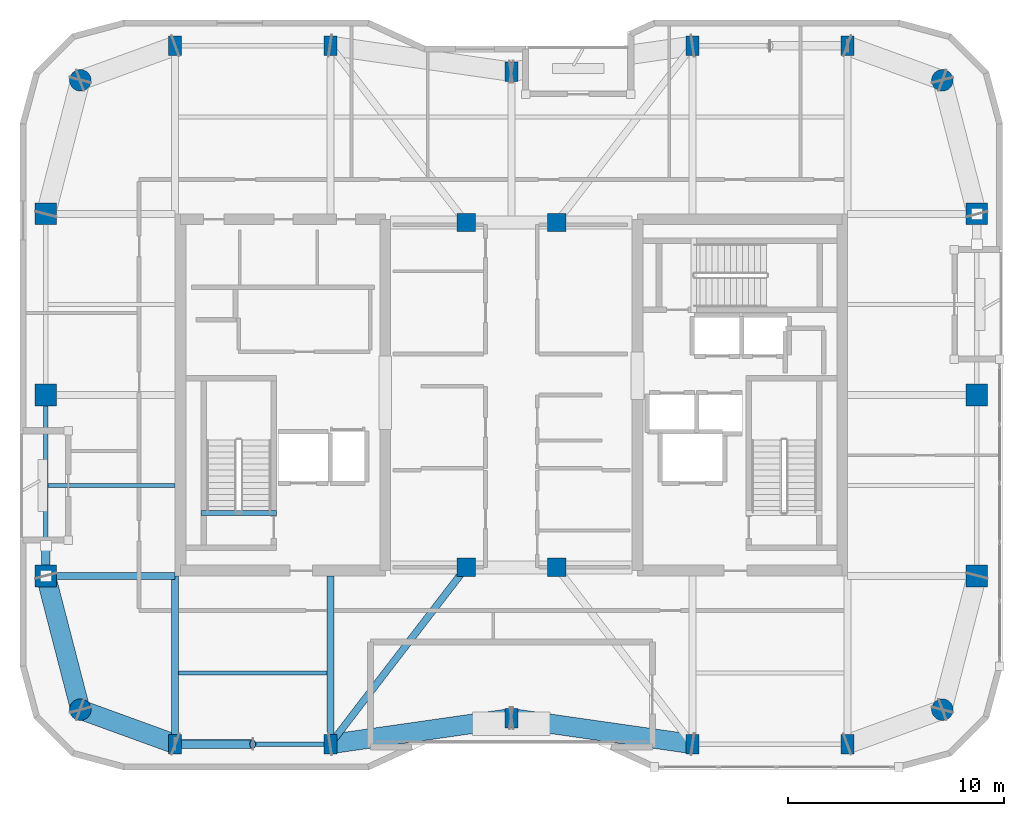
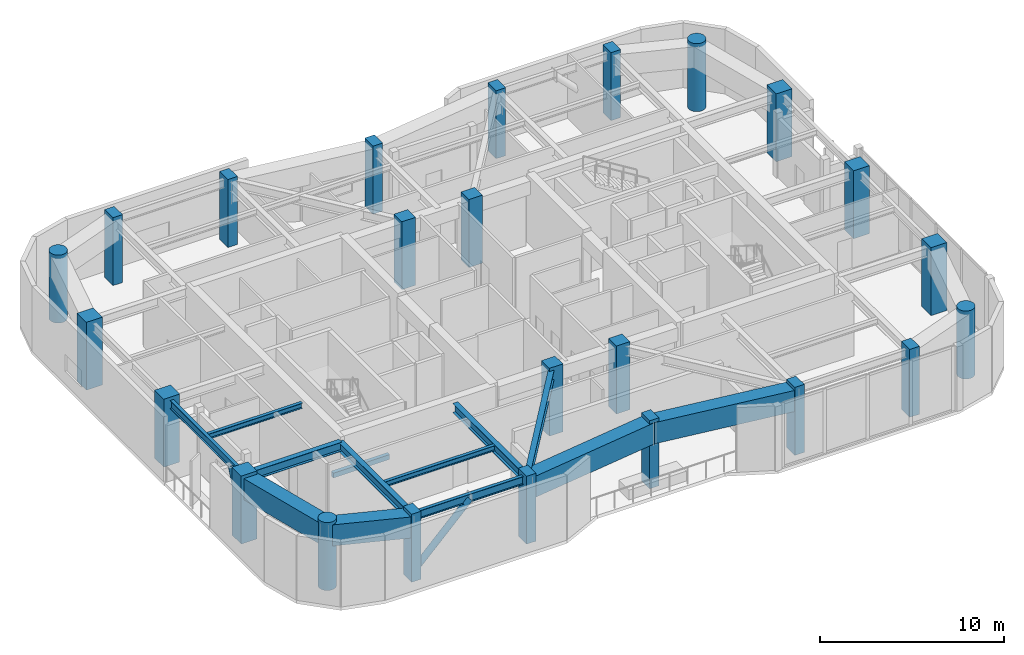
# One storey, part 1 of 14: 24 columns, 13 beams, 2 members.
"""IFC4 building model written with IfcOpenShell, lengths in metres."""

import ifcopenshell
import ifcopenshell.guid

model = None  # the IFC model being written
_history = None  # IfcOwnerHistory: only IFC2X3 demands one
_inside = {}  # id of a spatial element -> (the spatial element, [elements in it])
_under = {}  # id of a project, library or spatial element -> (it, [spatial elements below it])
_declared = {}  # id of a project -> (the project, [libraries it declares])
_typed = {}  # id of a type object -> (the type object, [elements of that type])
_made_of = {}  # id of a material, layer set ... -> (it, [elements and type objects made of it])


def new_model(schema):
    """Start an empty IFC model of exactly this schema.

    Asked for "IFC4X3", IfcOpenShell would pick the latest addendum, in which some entities
    have other attributes; the version numbers below select the first issue.
    IFC2X3 requires an IfcOwnerHistory on every rooted entity: one is made here for all.
    """
    global model, _history
    if schema == "IFC4X3":
        model = ifcopenshell.file(schema_version=(4, 3, 0, 0))
    else:
        model = ifcopenshell.file(schema=schema)
    _inside.clear()
    _under.clear()
    _declared.clear()
    _typed.clear()
    _made_of.clear()
    _history = None
    if model.schema == "IFC2X3":
        org = make("IfcOrganization", Name="unknown")
        user = make(
            "IfcPersonAndOrganization",
            ThePerson=make("IfcPerson", FamilyName="unknown"),
            TheOrganization=org,
        )
        app = make(
            "IfcApplication",
            ApplicationDeveloper=org,
            Version="unknown",
            ApplicationFullName="unknown",
            ApplicationIdentifier="unknown",
        )
        _history = make(
            "IfcOwnerHistory",
            OwningUser=user,
            OwningApplication=app,
            ChangeAction="ADDED",
            CreationDate=0,
        )
    return model


def make(cls, **values):
    """One entity of the class cls with the attributes given. An attribute that is None is left unset."""
    return model.create_entity(
        cls, **{name: value for name, value in values.items() if value is not None}
    )


def rooted(cls, **values):
    """An entity with a GlobalId (a new one), such as an element, a storey or a relation."""
    return make(cls, GlobalId=ifcopenshell.guid.new(), OwnerHistory=_history, **values)


def si_unit(unit_type, name, prefix=None):
    """IfcSIUnit, for example si_unit("LENGTHUNIT", "METRE", prefix="MILLI")."""
    return make("IfcSIUnit", UnitType=unit_type, Prefix=prefix, Name=name)


def assignment(units):
    """IfcUnitAssignment: the units of a project."""
    return None if units is None else make("IfcUnitAssignment", Units=units)


def point(xyz):
    """IfcCartesianPoint."""
    return None if xyz is None else make("IfcCartesianPoint", Coordinates=xyz)


def direction(xyz):
    """IfcDirection."""
    return None if xyz is None else make("IfcDirection", DirectionRatios=xyz)


def frame(location, z_axis=None, x_axis=None):
    """IfcAxis2Placement3D, a coordinate frame: its origin and axes. An axis left out is left unset."""
    return make(
        "IfcAxis2Placement3D",
        Location=point(location),
        Axis=direction(z_axis),
        RefDirection=direction(x_axis),
    )


def frame_2d(location, x_axis=None):
    """IfcAxis2Placement2D, a coordinate frame in the plane: its origin and x axis."""
    return make(
        "IfcAxis2Placement2D", Location=point(location), RefDirection=direction(x_axis)
    )


def origin():
    """The frame at (0, 0, 0) with its axes left unset."""
    return frame((0.0, 0.0, 0.0))


def origin_2d():
    """The frame at (0, 0) in the plane with its x axis left unset."""
    return frame_2d((0.0, 0.0))


def place(relative_to, where):
    """IfcLocalPlacement: puts the frame where relative to a parent placement (None: the world)."""
    return make(
        "IfcLocalPlacement", PlacementRelTo=relative_to, RelativePlacement=where
    )


def context(
    kind, dimensions, precision=None, world=None, true_north=None, identifier=None
):
    """IfcGeometricRepresentationContext, for example the 3D "Model" context."""
    return make(
        "IfcGeometricRepresentationContext",
        ContextIdentifier=identifier,
        ContextType=kind,
        CoordinateSpaceDimension=dimensions,
        Precision=precision,
        WorldCoordinateSystem=world,
        TrueNorth=true_north,
    )


def subcontext(parent, identifier, kind, view, scale=None):
    """IfcGeometricRepresentationSubContext, for example "Body" below "Model"."""
    return make(
        "IfcGeometricRepresentationSubContext",
        ContextIdentifier=identifier,
        ContextType=kind,
        ParentContext=parent,
        TargetScale=scale,
        TargetView=view,
    )


def project(units=None, contexts=None):
    """IfcProject with its units and contexts."""
    return rooted(
        "IfcProject",
        Name="project",
        RepresentationContexts=contexts,
        UnitsInContext=assignment(units),
    )


def spatial(cls, under=None, at=None, **own):
    """A site, building, storey or space (cls), placed at a placement, below another one or the project."""
    s = rooted(cls, ObjectPlacement=at, **own)
    if under is not None:
        _under.setdefault(under.id(), (under, []))[1].append(s)
    return s


def profile(cls, at=None, kind="AREA", **sizes):
    """A parametric profile (cls). Its sizes go by their IFC names, for example OverallWidth=200.0."""
    return make(cls, ProfileType=kind, Position=at, **sizes)


def rectangle(**sizes):
    """IfcRectangleProfileDef."""
    return profile("IfcRectangleProfileDef", **sizes)


def hollow_rectangle(**sizes):
    """IfcRectangleHollowProfileDef."""
    return profile("IfcRectangleHollowProfileDef", **sizes)


def circle(**sizes):
    """IfcCircleProfileDef."""
    return profile("IfcCircleProfileDef", **sizes)


def hollow_circle(**sizes):
    """IfcCircleHollowProfileDef."""
    return profile("IfcCircleHollowProfileDef", **sizes)


def i_section(**sizes):
    """IfcIShapeProfileDef."""
    return profile("IfcIShapeProfileDef", **sizes)


def extrude(swept, where, along, depth):
    """IfcExtrudedAreaSolid: the profile swept, set in the frame where, extruded along a direction by depth."""
    return make(
        "IfcExtrudedAreaSolid",
        SweptArea=swept,
        Position=where,
        ExtrudedDirection=direction(along),
        Depth=depth,
    )


def shape(context_of_items, identifier, shape_type, items):
    """IfcShapeRepresentation: the items that make up one representation, for example the "Body"."""
    return make(
        "IfcShapeRepresentation",
        ContextOfItems=context_of_items,
        RepresentationIdentifier=identifier,
        RepresentationType=shape_type,
        Items=items,
    )


def material(Name=None, Category=None):
    """IfcMaterial."""
    return make("IfcMaterial", Name=Name, Category=Category)


def material_profile(
    of_material, cross_section, Name=None, Category=None, Priority=None
):
    """IfcMaterialProfile: a cross section and its material."""
    return make(
        "IfcMaterialProfile",
        Name=Name,
        Material=of_material,
        Profile=cross_section,
        Priority=Priority,
        Category=Category,
    )


def profile_set(profiles, Name=None, composite=None):
    """IfcMaterialProfileSet."""
    return make(
        "IfcMaterialProfileSet",
        Name=Name,
        MaterialProfiles=profiles,
        CompositeProfile=composite,
    )


def made_of(thing, what):
    """Note that an element or type object is made of a material, layer set ...; save() writes the relation."""
    if what is not None:
        _made_of.setdefault(what.id(), (what, []))[1].append(thing)
    return thing


def type_object(cls, material=None, **own):
    """A type object (cls), such as IfcWallType, which elements share."""
    return made_of(rooted(cls, **own), material)


def element(
    cls,
    number,
    at=None,
    inside=None,
    cuts=None,
    type_object=None,
    material=None,
    context=None,
    identifier="Body",
    shape_type=None,
    held_by="IfcProductDefinitionShape",
    body=None,
    shapes=None,
    **own,
):
    """One element of the class cls, such as IfcWall. Its Tag is "e" and its number.

    at: its placement. inside: the storey or other place that contains it. cuts: it is an
    opening in that element (IfcRelVoidsElement). A single representation is given by context,
    identifier, shape_type and body (its items); several are given by shapes. held_by: the class
    of the entity that holds the representations. save() writes the other relations.
    """
    e = rooted(cls, Tag="e%d" % number, ObjectPlacement=at, **own)
    if body is not None:
        shapes = [shape(context, identifier, shape_type, body)]
    if shapes is not None:
        e.Representation = make(held_by, Representations=shapes)
    if inside is not None:
        _inside.setdefault(inside.id(), (inside, []))[1].append(e)
    if cuts is not None:
        rooted(
            "IfcRelVoidsElement", RelatingBuildingElement=cuts, RelatedOpeningElement=e
        )
    if type_object is not None:
        _typed.setdefault(type_object.id(), (type_object, []))[1].append(e)
    return made_of(e, material)


def aggregate(whole, parts):
    """IfcRelAggregates: a whole, such as a stair, and the parts it consists of."""
    return rooted("IfcRelAggregates", RelatingObject=whole, RelatedObjects=parts)


def save(model, path):
    """Write the relations noted so far, then the file.

    IfcRelAggregates (storeys below a building ...), IfcRelContainedInSpatialStructure (elements
    in a storey), IfcRelDefinesByType, IfcRelAssociatesMaterial and IfcRelDeclares: one each for
    every whole, place, type object, material and project.
    """
    for whole, parts in _under.values():
        aggregate(whole, parts)
    for where, things in _inside.values():
        rooted(
            "IfcRelContainedInSpatialStructure",
            RelatedElements=things,
            RelatingStructure=where,
        )
    for kind, things in _typed.values():
        rooted("IfcRelDefinesByType", RelatedObjects=things, RelatingType=kind)
    for what, things in _made_of.values():
        rooted("IfcRelAssociatesMaterial", RelatedObjects=things, RelatingMaterial=what)
    for by, libraries in _declared.values():
        rooted("IfcRelDeclares", RelatingContext=by, RelatedDefinitions=libraries)
    model.write(path)


model = new_model("IFC4")

# Units and contexts
model_context = context("Model", 3, precision=1e-05, world=origin(), true_north=direction((0.0, 1.0)))
body_context = subcontext(model_context, "Body", "Model", "MODEL_VIEW")
ifc_project = project(units=[si_unit("LENGTHUNIT", "METRE"), si_unit("AREAUNIT", "SQUARE_METRE"), si_unit("VOLUMEUNIT", "CUBIC_METRE"), si_unit("PLANEANGLEUNIT", "RADIAN"), si_unit("MASSUNIT", "GRAM", prefix="KILO")], contexts=[model_context])

# Site, building, storey
site_placement = place(None, origin())
site = spatial("IfcSite", under=ifc_project, at=site_placement, CompositionType="ELEMENT")
building_placement = place(site_placement, origin())
building = spatial("IfcBuilding", under=site, at=building_placement, Name="Kiyonajd Concourse Tower", CompositionType="ELEMENT")
storey_placement = place(building_placement, frame((0.0, 0.0, 294.0)))
storey = spatial("IfcBuildingStorey", under=building, at=storey_placement, Name="L74", CompositionType="ELEMENT", Elevation=294.0)

# Columns
ifc_material_1 = material(Name="Concrete C60/75", Category="concrete")
ifc_material_profile_1 = material_profile(ifc_material_1, rectangle(XDim=0.60009765625, YDim=0.89990234375, at=origin_2d()), Name="RC-900x600")
ifc_profile_set_1 = profile_set([ifc_material_profile_1], Name="Concrete C60/75")
column_type_1 = type_object("IfcColumnType", Name="CL-BLADE-900", PredefinedType="COLUMN", material=ifc_profile_set_1)
for number, where, z_axis, x_axis, name in (
    (1, (32.39990234375, 19.800048828125, 0.0), (0.0, 0.0, 1.0), (1.0, 0.0, 0.0), "L74 Perimeter Bundled Tube Column"),
    (2, (32.39990234375, 52.199951171875, 0.0), (0.0, 0.0, 1.0), (1.0, 0.0, 0.0), "L74 Perimeter Bundled Tube Column"),
    (3, (39.60009765625, 19.800048828125, 0.0), (0.0, 0.0, 1.0), (1.0, 0.0, 0.0), "L74 Perimeter Bundled Tube Column"),
    (4, (39.60009765625, 52.199951171875, 0.0), (0.0, 0.0, 1.0), (1.0, 0.0, 0.0), "L74 Perimeter Bundled Tube Column"),
    (5, (48.0, 21.0, 0.0), (0.0, 0.0, 1.0), (1.0, 0.0, 0.0), "L74 Perimeter Bundled Tube Column"),
    (6, (48.0, 51.0, 0.0), (0.0, 0.0, 1.0), (1.0, 0.0, 0.0), "L74 Perimeter Bundled Tube Column"),
    (7, (56.39990234375, 19.800048828125, 0.0), (0.0, 0.0, 1.0), (1.0, 0.0, 0.0), "L74 Perimeter Bundled Tube Column"),
    (8, (56.39990234375, 52.199951171875, 0.0), (0.0, 0.0, 1.0), (1.0, 0.0, 0.0), "L74 Perimeter Bundled Tube Column"),
    (9, (63.60009765625, 19.800048828125, 0.0), (0.0, 0.0, 1.0), (1.0, 0.0, 0.0), "L74 Perimeter Bundled Tube Column"),
    (10, (63.60009765625, 52.199951171875, 0.0), (0.0, 0.0, 1.0), (1.0, 0.0, 0.0), "L74 Perimeter Bundled Tube Column"),
):
    element("IfcColumn", number, at=place(storey_placement, frame(where, z_axis=z_axis, x_axis=x_axis)), inside=storey, type_object=column_type_1, Name=name, PredefinedType="COLUMN", context=body_context, shape_type="SweptSolid", body=[
        extrude(rectangle(XDim=0.60009765625, YDim=0.89990234375, at=origin_2d()), origin(), (0.0, 0.0, 1.0), 4.5),
    ])
ifc_material_profile_2 = material_profile(ifc_material_1, circle(Radius=0.5, at=origin_2d()), Name="RCC-D1000")
ifc_profile_set_2 = profile_set([ifc_material_profile_2], Name="Concrete C60/75")
column_type_2 = type_object("IfcColumnType", Name="CL-RND-1000", PredefinedType="COLUMN", material=ifc_profile_set_2)
for number, where, z_axis, x_axis, name in (
    (11, (28.0, 21.39990234375, 0.0), (0.0, 0.0, 1.0), (1.0, 0.0, 0.0), "L74 Bundled Tube Corner Column South West"),
    (12, (68.0, 21.39990234375, 0.0), (0.0, 0.0, 1.0), (1.0, 0.0, 0.0), "L74 Bundled Tube Corner Column South East"),
    (13, (68.0, 50.60009765625, 0.0), (0.0, 0.0, 1.0), (1.0, 0.0, 0.0), "L74 Bundled Tube Corner Column North East"),
    (14, (28.0, 50.60009765625, 0.0), (0.0, 0.0, 1.0), (1.0, 0.0, 0.0), "L74 Bundled Tube Corner Column North West"),
):
    element("IfcColumn", number, at=place(storey_placement, frame(where, z_axis=z_axis, x_axis=x_axis)), inside=storey, type_object=column_type_2, Name=name, PredefinedType="COLUMN", context=body_context, shape_type="SweptSolid", body=[
        extrude(circle(Radius=0.5, at=origin_2d()), origin(), (0.0, 0.0, 1.0), 4.5),
    ])
ifc_material_profile_3 = material_profile(ifc_material_1, rectangle(XDim=1.0, YDim=1.0, at=origin_2d()), Name="RC-1000x1000")
ifc_profile_set_3 = profile_set([ifc_material_profile_3], Name="Concrete C60/75")
column_type_3 = type_object("IfcColumnType", Name="CL-TUBE-1000", PredefinedType="COLUMN", material=ifc_profile_set_3)
for number, where, z_axis, x_axis, name in (
    (15, (26.39990234375, 27.60009765625, 0.0), (0.0, 0.0, 1.0), (1.0, 0.0, 0.0), "L74 Perimeter Bundled Tube Column"),
    (16, (69.60009765625, 27.60009765625, 0.0), (0.0, 0.0, 1.0), (1.0, 0.0, 0.0), "L74 Perimeter Bundled Tube Column"),
    (17, (26.39990234375, 36.0, 0.0), (0.0, 0.0, 1.0), (1.0, 0.0, 0.0), "L74 Perimeter Bundled Tube Column"),
    (18, (69.60009765625, 36.0, 0.0), (0.0, 0.0, 1.0), (1.0, 0.0, 0.0), "L74 Perimeter Bundled Tube Column"),
    (19, (26.39990234375, 44.39990234375, 0.0), (0.0, 0.0, 1.0), (1.0, 0.0, 0.0), "L74 Perimeter Bundled Tube Column"),
    (20, (69.60009765625, 44.39990234375, 0.0), (0.0, 0.0, 1.0), (1.0, 0.0, 0.0), "L74 Perimeter Bundled Tube Column"),
):
    element("IfcColumn", number, at=place(storey_placement, frame(where, z_axis=z_axis, x_axis=x_axis)), inside=storey, type_object=column_type_3, Name=name, PredefinedType="COLUMN", context=body_context, shape_type="SweptSolid", body=[
        extrude(rectangle(XDim=1.0, YDim=1.0, at=origin_2d()), origin(), (0.0, 0.0, 1.0), 4.5),
    ])
ifc_material_profile_4 = material_profile(ifc_material_1, rectangle(XDim=0.85009765625, YDim=0.85009765625, at=origin_2d()), Name="RC-850x850")
ifc_profile_set_4 = profile_set([ifc_material_profile_4], Name="Concrete C60/75")
column_type_4 = type_object("IfcColumnType", Name="CL-TUBE-850", PredefinedType="COLUMN", material=ifc_profile_set_4)
for number, where, z_axis, x_axis, name in (
    (21, (45.89990234375, 28.0, 0.0), (0.0, 0.0, 1.0), (1.0, 0.0, 0.0), "L74 Core Tie Column South West"),
    (22, (50.10009765625, 28.0, 0.0), (0.0, 0.0, 1.0), (1.0, 0.0, 0.0), "L74 Core Tie Column South East"),
    (23, (45.89990234375, 44.0, 0.0), (0.0, 0.0, 1.0), (1.0, 0.0, 0.0), "L74 Core Tie Column North West"),
    (24, (50.10009765625, 44.0, 0.0), (0.0, 0.0, 1.0), (1.0, 0.0, 0.0), "L74 Core Tie Column North East"),
):
    element("IfcColumn", number, at=place(storey_placement, frame(where, z_axis=z_axis, x_axis=x_axis)), inside=storey, type_object=column_type_4, Name=name, PredefinedType="COLUMN", context=body_context, shape_type="SweptSolid", body=[
        extrude(rectangle(XDim=0.85009765625, YDim=0.85009765625, at=origin_2d()), origin(), (0.0, 0.0, 1.0), 4.5),
    ])

# Beams
ifc_material_2 = material(Name="Steel ASTM A992 Grade 50", Category="steel")
ifc_material_profile_5 = material_profile(ifc_material_2, i_section(OverallWidth=0.205078125, OverallDepth=0.35400390625, WebThickness=0.009521484375, FlangeThickness=0.016845703125, at=origin_2d()), Name="W360X79")
ifc_profile_set_5 = profile_set([ifc_material_profile_5], Name="Steel ASTM A992 Grade 50")
beam_type_1 = type_object("IfcBeamType", Name="BM-JST-360", PredefinedType="JOIST", material=ifc_profile_set_5)
beam_1_placement = place(storey_placement, frame((32.56201171875, 23.10009765625, 4.10302734375), z_axis=(1.0, 0.0, 0.0), x_axis=(0.0, 1.0, 0.0)))
element("IfcBeam", 25, at=beam_1_placement, inside=storey, type_object=beam_type_1, Name="L74 Secondary Floor Joist", PredefinedType="JOIST", context=body_context, shape_type="SweptSolid", body=[
    extrude(i_section(OverallWidth=0.205078125, OverallDepth=0.35400390625, WebThickness=0.009521484375, FlangeThickness=0.016845703125, at=origin_2d()), origin(), (0.0, 0.0, 1.0), 6.8759765625),
])
beam_2_placement = place(storey_placement, frame((26.505615234375, 31.800048828125, 4.10302734375), z_axis=(1.0, 0.0, 0.0), x_axis=(0.0, 1.0, 0.0)))
element("IfcBeam", 26, at=beam_2_placement, inside=storey, type_object=beam_type_1, Name="L74 West Secondary Floor Joist", PredefinedType="JOIST", context=body_context, shape_type="SweptSolid", body=[
    extrude(i_section(OverallWidth=0.205078125, OverallDepth=0.35400390625, WebThickness=0.009521484375, FlangeThickness=0.016845703125, at=origin_2d()), origin(), (0.0, 0.0, 1.0), 5.894287109375),
])
ifc_material_3 = material(Name="Concrete C50/60", Category="concrete")
ifc_material_profile_6 = material_profile(ifc_material_3, rectangle(XDim=0.239990234375, YDim=0.320068359375, at=origin_2d()), Name="RCBM-240x320")
ifc_profile_set_6 = profile_set([ifc_material_profile_6], Name="Concrete C50/60")
beam_type_2 = type_object("IfcBeamType", Name="BM-LNT-250", PredefinedType="LINTEL", material=ifc_profile_set_6)
beam_3_placement = place(storey_placement, frame((33.590087890625, 30.530029296875, -0.159912109375), z_axis=(1.0, 0.0, 0.0), x_axis=(0.0, 1.0, 0.0)))
element("IfcBeam", 27, at=beam_3_placement, inside=storey, type_object=beam_type_2, Name="L74 Stair ST1 Threshold Support Beam", PredefinedType="LINTEL", context=body_context, shape_type="SweptSolid", body=[
    extrude(rectangle(XDim=0.239990234375, YDim=0.320068359375, at=origin_2d()), origin(), (0.0, 0.0, 1.0), 3.52001953125),
])
ifc_material_profile_7 = material_profile(ifc_material_2, i_section(OverallWidth=0.2109375, OverallDepth=0.5390625, WebThickness=0.01171875, FlangeThickness=0.018798828125, at=origin_2d()), Name="W530X109")
ifc_profile_set_7 = profile_set([ifc_material_profile_7], Name="Steel ASTM A992 Grade 50")
beam_type_3 = type_object("IfcBeamType", Name="BM-SPAN-530B", PredefinedType="SPANDREL", material=ifc_profile_set_7)
beam_4_placement = place(storey_placement, frame((32.39990234375, 19.800048828125, 4.010498046875), z_axis=(1.0, 0.0, 0.0), x_axis=(0.0, 1.0, 0.0)))
element("IfcBeam", 28, at=beam_4_placement, inside=storey, type_object=beam_type_3, Name="L74 Perimeter Bundled Tube Spandrel", PredefinedType="SPANDREL", context=body_context, shape_type="SweptSolid", body=[
    extrude(i_section(OverallWidth=0.2109375, OverallDepth=0.5390625, WebThickness=0.01171875, FlangeThickness=0.018798828125, at=origin_2d()), origin(), (0.0, 0.0, 1.0), 7.2001953125),
])
beam_5_placement = place(storey_placement, frame((26.39990234375, 36.0, 4.010498046875), z_axis=(0.0, -1.0, 0.0), x_axis=(1.0, 0.0, 0.0)))
element("IfcBeam", 29, at=beam_5_placement, inside=storey, type_object=beam_type_3, Name="L74 Perimeter Bundled Tube Spandrel", PredefinedType="SPANDREL", context=body_context, shape_type="SweptSolid", body=[
    extrude(i_section(OverallWidth=0.2109375, OverallDepth=0.5390625, WebThickness=0.01171875, FlangeThickness=0.018798828125, at=origin_2d()), origin(), (0.0, 0.0, 1.0), 8.39990234375),
])
ifc_material_profile_8 = material_profile(ifc_material_2, i_section(OverallWidth=0.326904296875, OverallDepth=0.6220703125, WebThickness=0.015380859375, FlangeThickness=0.0244140625, at=origin_2d()), Name="W610X195")
ifc_profile_set_8 = profile_set([ifc_material_profile_8], Name="Steel ASTM A992 Grade 50")
beam_type_4 = type_object("IfcBeamType", Name="BM-TWR-610A", PredefinedType="BEAM", material=ifc_profile_set_8)
beam_6_placement = place(storey_placement, frame((39.60009765625, 19.800048828125, 3.968994140625), z_axis=(0.609233709922, 0.792990722956, 0.0), x_axis=(-0.792990722956, 0.609233709922, 0.0)))
element("IfcBeam", 30, at=beam_6_placement, inside=storey, type_object=beam_type_4, Name="L74 Core Tie Girder", PredefinedType="BEAM", context=body_context, shape_type="SweptSolid", body=[
    extrude(i_section(OverallWidth=0.326904296875, OverallDepth=0.6220703125, WebThickness=0.015380859375, FlangeThickness=0.0244140625, at=origin_2d()), origin(), (0.0, 0.0, 1.0), 10.340576171875),
])
ifc_material_profile_9 = material_profile(ifc_material_2, i_section(OverallWidth=0.323974609375, OverallDepth=0.611083984375, WebThickness=0.0126953125, FlangeThickness=0.01904296875, at=origin_2d()), Name="W610X155")
ifc_profile_set_9 = profile_set([ifc_material_profile_9], Name="Steel ASTM A992 Grade 50")
beam_type_5 = type_object("IfcBeamType", Name="BM-TWR-610B", PredefinedType="BEAM", material=ifc_profile_set_9)
for number, where, z_axis, x_axis, name in (
    (31, (32.39990234375, 19.800048828125, 3.974609375), (0.0, 1.0, 0.0), (-1.0, 0.0, 0.0), "L74 South Lease Girder"),
    (32, (39.60009765625, 19.800048828125, 3.974609375), (0.0, 1.0, 0.0), (-1.0, 0.0, 0.0), "L74 South Lease Girder"),
):
    element("IfcBeam", number, at=place(storey_placement, frame(where, z_axis=z_axis, x_axis=x_axis)), inside=storey, type_object=beam_type_5, Name=name, PredefinedType="BEAM", context=body_context, shape_type="SweptSolid", body=[
        extrude(i_section(OverallWidth=0.323974609375, OverallDepth=0.611083984375, WebThickness=0.0126953125, FlangeThickness=0.01904296875, at=origin_2d()), origin(), (0.0, 0.0, 1.0), 7.800048828125),
    ])
beam_7_placement = place(storey_placement, frame((26.39990234375, 27.60009765625, 3.974609375), z_axis=(1.0, 0.0, 0.0), x_axis=(0.0, 1.0, 0.0)))
element("IfcBeam", 33, at=beam_7_placement, inside=storey, type_object=beam_type_5, Name="L74 West Lease Girder", PredefinedType="BEAM", context=body_context, shape_type="SweptSolid", body=[
    extrude(i_section(OverallWidth=0.323974609375, OverallDepth=0.611083984375, WebThickness=0.0126953125, FlangeThickness=0.01904296875, at=origin_2d()), origin(), (0.0, 0.0, 1.0), 6.0),
])
ifc_material_4 = material(Name="Steel ASTM A572 Grade 50", Category="steel")
ifc_material_profile_10 = material_profile(ifc_material_4, hollow_rectangle(XDim=0.89990234375, YDim=1.39990234375, WallThickness=0.070068359375, at=origin_2d()), Name="BOX-1400x900x70")
ifc_profile_set_10 = profile_set([ifc_material_profile_10], Name="Steel ASTM A572 Grade 50")
beam_type_6 = type_object("IfcBeamType", Name="BM-XFER-1400", PredefinedType="BEAM", material=ifc_profile_set_10)
beam_8_placement = place(storey_placement, frame((26.39990234375, 27.60009765625, 3.580078125), z_axis=(0.249884937687, -0.968275538221, 0.0), x_axis=(0.968275538221, 0.249884937687, 0.0)))
element("IfcBeam", 34, at=beam_8_placement, inside=storey, type_object=beam_type_6, Name="L74 Perimeter Bundled Tube Spandrel", PredefinedType="BEAM", context=body_context, shape_type="SweptSolid", body=[
    extrude(hollow_rectangle(XDim=0.89990234375, YDim=1.39990234375, WallThickness=0.070068359375, at=origin_2d()), origin(), (0.0, 0.0, 1.0), 6.4033203125),
])
beam_9_placement = place(storey_placement, frame((28.0, 21.39990234375, 3.580078125), z_axis=(0.939801036019, -0.341722127901, 0.0), x_axis=(0.341722127901, 0.939801036019, 0.0)))
element("IfcBeam", 35, at=beam_9_placement, inside=storey, type_object=beam_type_6, Name="L74 Perimeter Bundled Tube Spandrel", PredefinedType="BEAM", context=body_context, shape_type="SweptSolid", body=[
    extrude(hollow_rectangle(XDim=0.89990234375, YDim=1.39990234375, WallThickness=0.070068359375, at=origin_2d()), origin(), (0.0, 0.0, 1.0), 4.681640625),
])
for number, where, z_axis, x_axis, name in (
    (36, (39.60009765625, 19.800048828125, 3.580078125), (0.989950069105, 0.141417328072, 0.0), (-0.141417328072, 0.989950069105, 0.0), "L74 Perimeter Bundled Tube Spandrel"),
    (37, (48.0, 21.0, 3.580078125), (0.989950069105, -0.141417328072, 0.0), (0.141417328072, 0.989950069105, 0.0), "L74 Perimeter Bundled Tube Spandrel"),
):
    element("IfcBeam", number, at=place(storey_placement, frame(where, z_axis=z_axis, x_axis=x_axis)), inside=storey, type_object=beam_type_6, Name=name, PredefinedType="BEAM", context=body_context, shape_type="SweptSolid", body=[
        extrude(hollow_rectangle(XDim=0.89990234375, YDim=1.39990234375, WallThickness=0.070068359375, at=origin_2d()), origin(), (0.0, 0.0, 1.0), 8.485107421875),
    ])

# Members
ifc_material_5 = material(Name="Steel ASTM A500 Grade C", Category="steel")
ifc_material_profile_11 = material_profile(ifc_material_5, hollow_circle(Radius=0.202880859375, WallThickness=0.01904296875, at=origin_2d()), Name="CHS-406x19")
ifc_profile_set_11 = profile_set([ifc_material_profile_11], Name="Steel ASTM A500 Grade C")
member_type = type_object("IfcMemberType", Name="MB-PB-HIGH", PredefinedType="BRACE", material=ifc_profile_set_11)
member_1_placement = place(storey_placement, frame((32.39990234375, 19.800048828125, 0.300048828125), z_axis=(0.704187756773, 0.0, 0.710013804944), x_axis=(0.0, 1.0, 0.0)))
element("IfcMember", 38, at=member_1_placement, inside=storey, type_object=member_type, Name="L74 Upper Zone Hollow Tube Brace PBS", PredefinedType="BRACE", context=body_context, shape_type="SweptSolid", body=[
    extrude(hollow_circle(Radius=0.202880859375, WallThickness=0.01904296875, at=origin_2d()), origin(), (0.0, 0.0, 1.0), 5.1123046875),
])
member_2_placement = place(storey_placement, frame((26.39990234375, 27.60009765625, 0.300048828125), z_axis=(0.0, 0.359828366716, 0.933018513486), x_axis=(-1.0, 0.0, 0.0)))
element("IfcMember", 39, at=member_2_placement, inside=storey, type_object=member_type, Name="L74 Upper Zone Hollow Tube Brace PBW", PredefinedType="BRACE", context=body_context, shape_type="SweptSolid", body=[
    extrude(hollow_circle(Radius=0.202880859375, WallThickness=0.01904296875, at=origin_2d()), origin(), (0.0, 0.0, 1.0), 3.890380859375),
])

save(model, "model.ifc")
